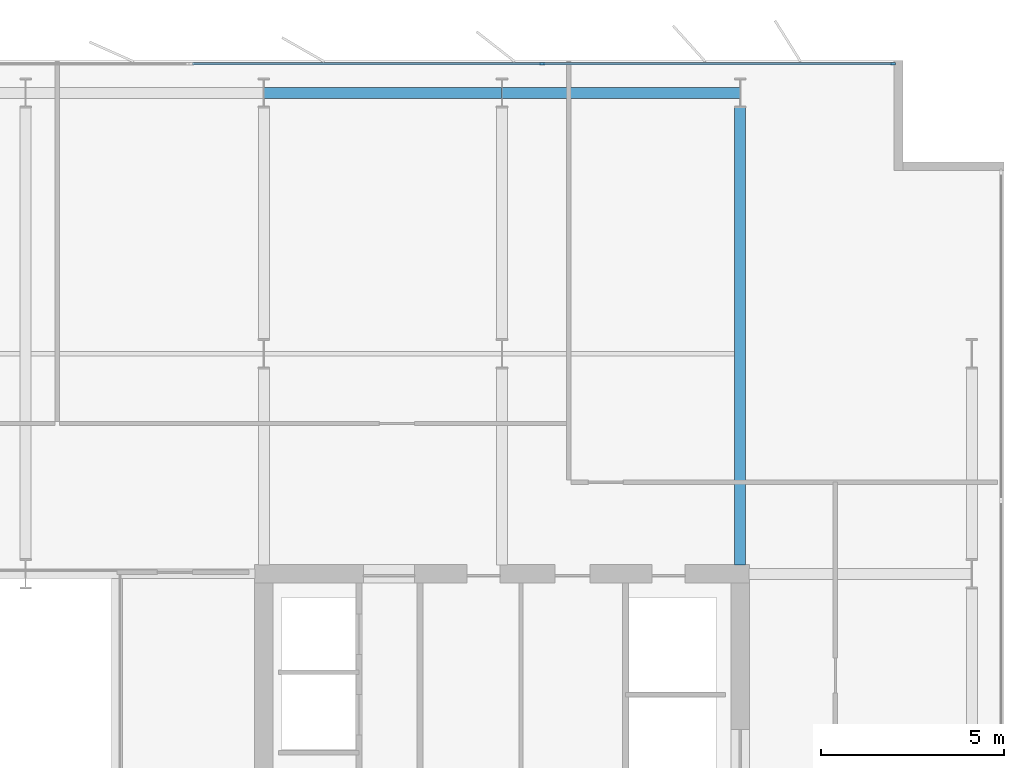
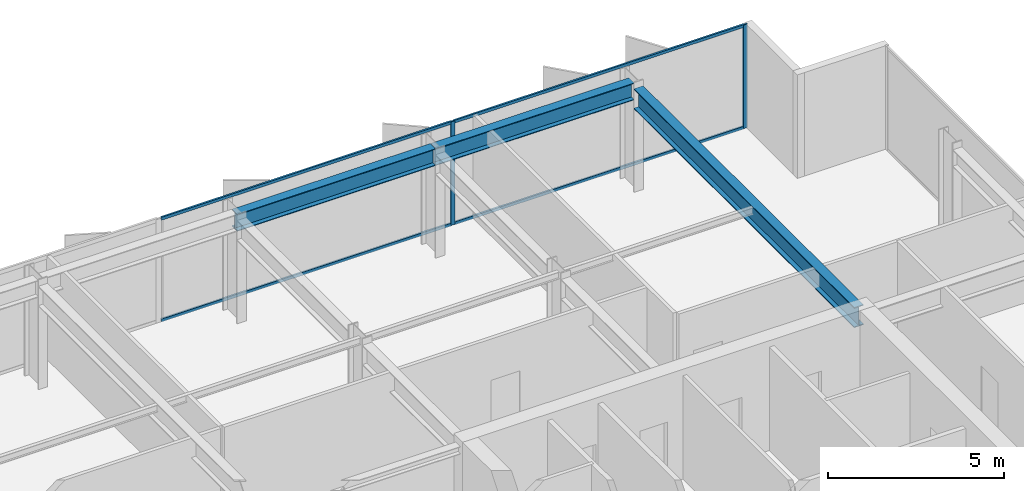
# One storey, part 13 of 24: 6 members, 3 beams, 1 element without a shape of its own.
"""IFC4 building model written with IfcOpenShell, lengths in metres."""

from ifc_helpers import new_model, si_unit, direction, frame, origin, origin_2d, place, context, subcontext, project, spatial, rectangle, i_section, extrude, material, layer, layer_set, material_profile, profile_set, type_object, element, aggregate, save


model = new_model("IFC4")

# Units and contexts
model_context = context("Model", 3, precision=1e-05, world=origin(), true_north=direction((0.0, 1.0)))
body_context = subcontext(model_context, "Body", "Model", "MODEL_VIEW")
ifc_project = project(units=[si_unit("LENGTHUNIT", "METRE"), si_unit("AREAUNIT", "SQUARE_METRE"), si_unit("VOLUMEUNIT", "CUBIC_METRE"), si_unit("PLANEANGLEUNIT", "RADIAN"), si_unit("MASSUNIT", "GRAM", prefix="KILO")], contexts=[model_context])

# Site, building, storey
site_placement = place(None, origin())
site = spatial("IfcSite", under=ifc_project, at=site_placement, CompositionType="ELEMENT")
building_placement = place(site_placement, origin())
building = spatial("IfcBuilding", under=site, at=building_placement, Name="Putna Gate Headquarters", CompositionType="ELEMENT")
storey_placement = place(building_placement, frame((0.0, 0.0, 236.60009765625)))
storey = spatial("IfcBuildingStorey", under=building, at=storey_placement, Name="L59", CompositionType="ELEMENT", Elevation=236.60009765625)

# Beams
ifc_material_1 = material(Name="Steel S355J2", Category="steel")
ifc_material_profile_1 = material_profile(ifc_material_1, i_section(OverallWidth=0.300048828125, OverallDepth=0.699951171875, WebThickness=0.01708984375, FlangeThickness=0.031982421875, at=origin_2d()), Name="Steel S355J2")
ifc_profile_set_1 = profile_set([ifc_material_profile_1], Name="Steel S355J2")
beam_type_1 = type_object("IfcBeamType", Name="BM-GIRD-B-HEB700", PredefinedType="USERDEFINED", material=ifc_profile_set_1)
beam_placement = place(storey_placement, frame((65.0, 33.235107421875, 3.22998046875), z_axis=(0.0, 1.0, 0.0), x_axis=(-1.0, 0.0, 0.0)))
element("IfcBeam", 1, at=beam_placement, inside=storey, type_object=beam_type_1, Name="L59 North Primary Girder X65", ObjectType="GIRDER", PredefinedType="USERDEFINED", context=body_context, shape_type="SweptSolid", body=[
    extrude(i_section(OverallWidth=0.300048828125, OverallDepth=0.699951171875, WebThickness=0.01708984375, FlangeThickness=0.031982421875, at=origin_2d()), origin(), (0.0, 0.0, 1.0), 12.489990234375),
])
ifc_material_profile_2 = material_profile(ifc_material_1, i_section(OverallWidth=0.300048828125, OverallDepth=0.590087890625, WebThickness=0.012939453125, FlangeThickness=0.02490234375, at=origin_2d()), Name="Steel S355J2")
ifc_profile_set_2 = profile_set([ifc_material_profile_2], Name="Steel S355J2")
beam_type_2 = type_object("IfcBeamType", Name="BM-SPAN-Z4-HEA600", PredefinedType="SPANDREL", material=ifc_profile_set_2)
for number, where, z_axis, x_axis, name in (
    (2, (52.006103515625, 46.1201171875, 3.284912109375), (1.0, 0.0, 0.0), (0.0, 1.0, 0.0), "L59 N Perimeter Spandrel 7"),
    (3, (58.506103515625, 46.1201171875, 3.284912109375), (1.0, 0.0, 0.0), (0.0, 1.0, 0.0), "L59 N Perimeter Spandrel 8"),
):
    element("IfcBeam", number, at=place(storey_placement, frame(where, z_axis=z_axis, x_axis=x_axis)), inside=storey, type_object=beam_type_2, Name=name, PredefinedType="SPANDREL", context=body_context, shape_type="SweptSolid", body=[
        extrude(i_section(OverallWidth=0.300048828125, OverallDepth=0.590087890625, WebThickness=0.012939453125, FlangeThickness=0.02490234375, at=origin_2d()), origin(), (0.0, 0.0, 1.0), 6.48779296875),
    ])

# Curtain wall, members
ifc_material_2 = material(Name="Anodised bronze aluminium curtain wall", Category="aluminium")
ifc_layer = layer(ifc_material_2, 0.139892578125)
ifc_layer_set = layer_set([ifc_layer], Name="Anodised bronze aluminium curtain wall")
curtain_wall_type = type_object("IfcCurtainWallType", Name="CW-SYS-Z4", PredefinedType="USERDEFINED", material=ifc_layer_set)
curtain_wall_placement = place(storey_placement, origin())
curtain_wall = element("IfcCurtainWall", 4, at=curtain_wall_placement, inside=storey, type_object=curtain_wall_type, Name="L59 North East Curtain Wall", ObjectType="STICK CURTAIN WALL", PredefinedType="USERDEFINED")
ifc_material_3 = material(Name="Anodised bronze aluminium EN AW-6060", Category="aluminium")
ifc_material_profile_3 = material_profile(ifc_material_3, rectangle(XDim=0.06005859375, YDim=0.139892578125, at=origin_2d()), Name="Anodised bronze aluminium EN AW-6060")
ifc_profile_set_3 = profile_set([ifc_material_profile_3], Name="Anodised bronze aluminium EN AW-6060")
member_type_1 = type_object("IfcMemberType", Name="MULL-CWM-4", PredefinedType="MULLION", material=ifc_profile_set_3)
member_1_placement = place(storey_placement, frame((59.60009765625, 46.919921875, 0.0), z_axis=(0.0, 0.0, 1.0), x_axis=(0.0, 1.0, 0.0)))
member_1 = element("IfcMember", 5, at=member_1_placement, type_object=member_type_1, Name="CWS-4 mullion 2", PredefinedType="MULLION", context=body_context, shape_type="SweptSolid", body=[
    extrude(rectangle(XDim=0.06005859375, YDim=0.139892578125, at=origin_2d()), origin(), (0.0, 0.0, 1.0), 3.579833984375),
])
member_2_placement = place(storey_placement, frame((69.169921875, 46.919921875, 0.0), z_axis=(0.0, 0.0, 1.0), x_axis=(0.0, 1.0, 0.0)))
member_2 = element("IfcMember", 6, at=member_2_placement, type_object=member_type_1, Name="CWS-4 mullion 3", PredefinedType="MULLION", context=body_context, shape_type="SweptSolid", body=[
    extrude(rectangle(XDim=0.06005859375, YDim=0.139892578125, at=origin_2d()), origin(), (0.0, 0.0, 1.0), 3.579833984375),
])
ifc_material_profile_4 = material_profile(ifc_material_3, rectangle(XDim=0.06005859375, YDim=0.10009765625, at=origin_2d()), Name="Anodised bronze aluminium EN AW-6060")
ifc_profile_set_4 = profile_set([ifc_material_profile_4], Name="Anodised bronze aluminium EN AW-6060")
member_type_2 = type_object("IfcMemberType", Name="TRAN-CWT-4", PredefinedType="USERDEFINED", material=ifc_profile_set_4)
member_3_placement = place(storey_placement, frame((50.06005859375, 46.919921875, 0.02978515625), z_axis=(1.0, 0.0, 0.0), x_axis=(0.0, 1.0, 0.0)))
member_3 = element("IfcMember", 7, at=member_3_placement, type_object=member_type_2, Name="CWS-4 transom 1.1", ObjectType="TRANSOM", PredefinedType="USERDEFINED", context=body_context, shape_type="SweptSolid", body=[
    extrude(rectangle(XDim=0.06005859375, YDim=0.10009765625, at=origin_2d()), origin(), (0.0, 0.0, 1.0), 9.510009765625),
])
member_4_placement = place(storey_placement, frame((50.06005859375, 46.919921875, 3.5498046875), z_axis=(1.0, 0.0, 0.0), x_axis=(0.0, 1.0, 0.0)))
member_4 = element("IfcMember", 8, at=member_4_placement, type_object=member_type_2, Name="CWS-4 transom 1.2", ObjectType="TRANSOM", PredefinedType="USERDEFINED", context=body_context, shape_type="SweptSolid", body=[
    extrude(rectangle(XDim=0.06005859375, YDim=0.10009765625, at=origin_2d()), origin(), (0.0, 0.0, 1.0), 9.510009765625),
])
member_5_placement = place(storey_placement, frame((59.6298828125, 46.919921875, 0.02978515625), z_axis=(1.0, 0.0, 0.0), x_axis=(0.0, 1.0, 0.0)))
member_5 = element("IfcMember", 9, at=member_5_placement, type_object=member_type_2, Name="CWS-4 transom 2.1", ObjectType="TRANSOM", PredefinedType="USERDEFINED", context=body_context, shape_type="SweptSolid", body=[
    extrude(rectangle(XDim=0.06005859375, YDim=0.10009765625, at=origin_2d()), origin(), (0.0, 0.0, 1.0), 9.510009765625),
])
member_6_placement = place(storey_placement, frame((59.6298828125, 46.919921875, 3.5498046875), z_axis=(1.0, 0.0, 0.0), x_axis=(0.0, 1.0, 0.0)))
member_6 = element("IfcMember", 10, at=member_6_placement, type_object=member_type_2, Name="CWS-4 transom 2.2", ObjectType="TRANSOM", PredefinedType="USERDEFINED", context=body_context, shape_type="SweptSolid", body=[
    extrude(rectangle(XDim=0.06005859375, YDim=0.10009765625, at=origin_2d()), origin(), (0.0, 0.0, 1.0), 9.510009765625),
])
aggregate(curtain_wall, [member_1, member_2, member_3, member_4, member_5, member_6])

save(model, "model.ifc")
